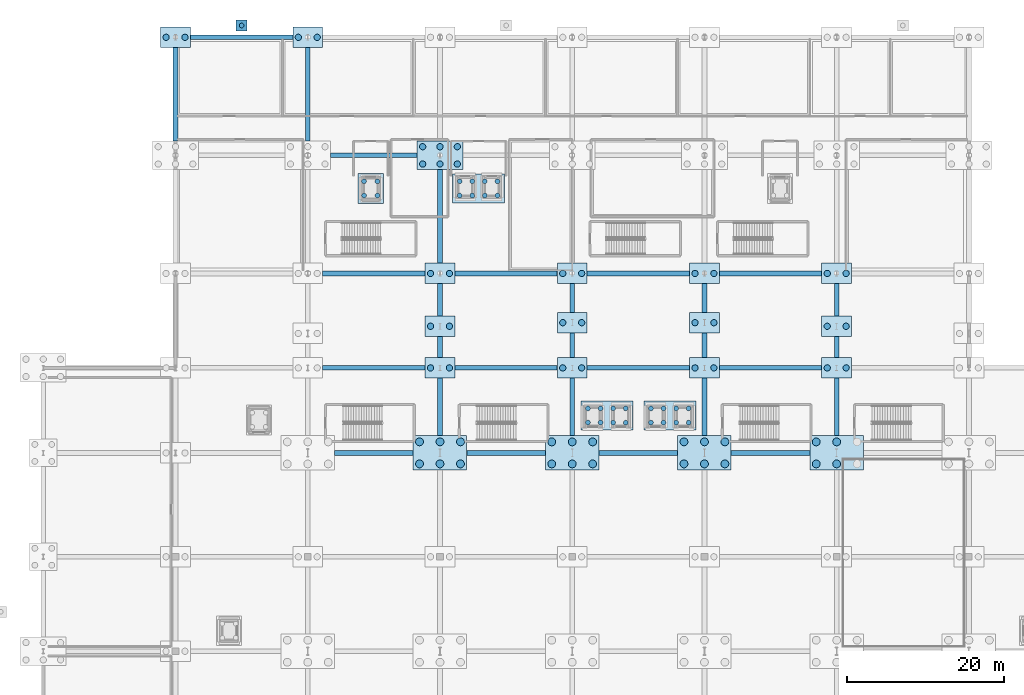
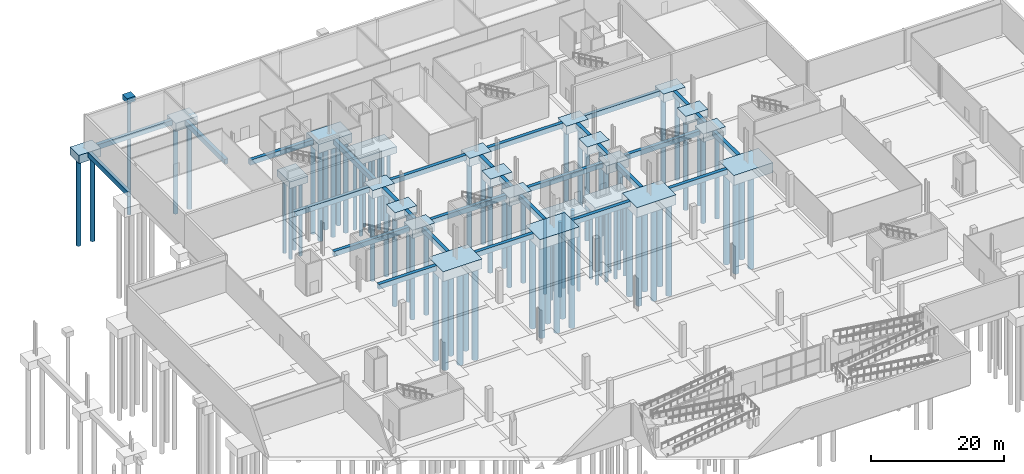
# One storey, part 4 of 46: 85 piles, 53 footings.
"""IFC4 building model written with IfcOpenShell, lengths in metres."""

from ifc_helpers import new_model, si_unit, direction, frame, origin, origin_2d, place, context, subcontext, project, spatial, rectangle, circle, extrude, material, material_profile, profile_set, type_object, element, save


model = new_model("IFC4")

# Units and contexts
model_context = context("Model", 3, precision=1e-05, world=origin(), true_north=direction((0.0, 1.0)))
body_context = subcontext(model_context, "Body", "Model", "MODEL_VIEW")
ifc_project = project(units=[si_unit("LENGTHUNIT", "METRE"), si_unit("AREAUNIT", "SQUARE_METRE"), si_unit("VOLUMEUNIT", "CUBIC_METRE"), si_unit("PLANEANGLEUNIT", "RADIAN"), si_unit("MASSUNIT", "GRAM", prefix="KILO")], contexts=[model_context])

# Site, building, storey
site_placement = place(None, origin())
site = spatial("IfcSite", under=ifc_project, at=site_placement, CompositionType="ELEMENT")
building_placement = place(site_placement, origin())
building = spatial("IfcBuilding", under=site, at=building_placement, Name="Kimbaza Rail Terminus", CompositionType="ELEMENT")
storey_placement = place(building_placement, frame((0.0, 0.0, -6.0)))
storey = spatial("IfcBuildingStorey", under=building, at=storey_placement, Name="B1", CompositionType="ELEMENT", Elevation=-6.0)

# Footings
ifc_material_1 = material(Name="Concrete C40/50", Category="concrete")
ifc_material_profile_1 = material_profile(ifc_material_1, rectangle(XDim=0.60009765625, YDim=0.89990234375, at=origin_2d()), Name="GB-01 600x900")
ifc_profile_set_1 = profile_set([ifc_material_profile_1], Name="Concrete C40/50")
footing_type_1 = type_object("IfcFootingType", Name="STR-GB-01", PredefinedType="FOOTING_BEAM", material=ifc_profile_set_1)
footing_1_placement = place(storey_placement, frame((55.199951171875, 119.802001953125, -0.449951171875), z_axis=(0.0, 1.0, 0.0), x_axis=(-1.0, 0.0, 0.0)))
element("IfcFooting", 1, at=footing_1_placement, inside=storey, type_object=footing_type_1, Name="Ground Tie Beam GB-V5Y-0-1", PredefinedType="FOOTING_BEAM", context=body_context, shape_type="SweptSolid", body=[
    extrude(rectangle(XDim=0.60009765625, YDim=0.89990234375, at=origin_2d()), origin(), (0.0, 0.0, 1.0), 11.89599609375),
])
for number, where, z_axis, x_axis, name in (
    (2, (57.10205078125, 133.0, -0.449951171875), (1.0, 0.0, 0.0), (0.0, 1.0, 0.0), "Ground Tie Beam GB-V5X-0-2"),
    (3, (73.902099609375, 103.0, -0.449951171875), (1.0, 0.0, 0.0), (0.0, 1.0, 0.0), "Ground Tie Beam GB-V5X-1-0"),
):
    element("IfcFooting", number, at=place(storey_placement, frame(where, z_axis=z_axis, x_axis=x_axis)), inside=storey, type_object=footing_type_1, Name=name, PredefinedType="FOOTING_BEAM", context=body_context, shape_type="SweptSolid", body=[
        extrude(rectangle(XDim=0.60009765625, YDim=0.89990234375, at=origin_2d()), origin(), (0.0, 0.0, 1.0), 12.995849609375),
    ])
footing_2_placement = place(storey_placement, frame((74.902099609375, 118.0, -0.449951171875), z_axis=(1.0, 0.0, 0.0), x_axis=(0.0, 1.0, 0.0)))
element("IfcFooting", 4, at=footing_2_placement, inside=storey, type_object=footing_type_1, Name="Ground Tie Beam GB-V5X-1-1", PredefinedType="FOOTING_BEAM", context=body_context, shape_type="SweptSolid", body=[
    extrude(rectangle(XDim=0.60009765625, YDim=0.89990234375, at=origin_2d()), origin(), (0.0, 0.0, 1.0), 10.995849609375),
])
footing_3_placement = place(storey_placement, frame((72.0, 119.802001953125, -0.449951171875), z_axis=(0.0, 1.0, 0.0), x_axis=(-1.0, 0.0, 0.0)))
element("IfcFooting", 5, at=footing_3_placement, inside=storey, type_object=footing_type_1, Name="Ground Tie Beam GB-V5Y-1-1", PredefinedType="FOOTING_BEAM", context=body_context, shape_type="SweptSolid", body=[
    extrude(rectangle(XDim=0.60009765625, YDim=0.89990234375, at=origin_2d()), origin(), (0.0, 0.0, 1.0), 11.89599609375),
])
footing_4_placement = place(storey_placement, frame((90.701904296875, 103.0, -0.449951171875), z_axis=(1.0, 0.0, 0.0), x_axis=(0.0, 1.0, 0.0)))
element("IfcFooting", 6, at=footing_4_placement, inside=storey, type_object=footing_type_1, Name="Ground Tie Beam GB-V5X-2-0", PredefinedType="FOOTING_BEAM", context=body_context, shape_type="SweptSolid", body=[
    extrude(rectangle(XDim=0.60009765625, YDim=0.89990234375, at=origin_2d()), origin(), (0.0, 0.0, 1.0), 12.99609375),
])
footing_5_placement = place(storey_placement, frame((88.800048828125, 104.302001953125, -0.449951171875), z_axis=(0.0, 1.0, 0.0), x_axis=(-1.0, 0.0, 0.0)))
element("IfcFooting", 7, at=footing_5_placement, inside=storey, type_object=footing_type_1, Name="Ground Tie Beam GB-V5Y-2-0", PredefinedType="FOOTING_BEAM", context=body_context, shape_type="SweptSolid", body=[
    extrude(rectangle(XDim=0.60009765625, YDim=0.89990234375, at=origin_2d()), origin(), (0.0, 0.0, 1.0), 11.89599609375),
])
for number, where, z_axis, x_axis, name in (
    (8, (107.501953125, 103.0, -0.449951171875), (1.0, 0.0, 0.0), (0.0, 1.0, 0.0), "Ground Tie Beam GB-V5X-3-0"),
    (9, (124.302001953125, 103.0, -0.449951171875), (1.0, 0.0, 0.0), (0.0, 1.0, 0.0), "Ground Tie Beam GB-V5X-4-0"),
):
    element("IfcFooting", number, at=place(storey_placement, frame(where, z_axis=z_axis, x_axis=x_axis)), inside=storey, type_object=footing_type_1, Name=name, PredefinedType="FOOTING_BEAM", context=body_context, shape_type="SweptSolid", body=[
        extrude(rectangle(XDim=0.60009765625, YDim=0.89990234375, at=origin_2d()), origin(), (0.0, 0.0, 1.0), 12.99609375),
    ])
footing_6_placement = place(storey_placement, frame((75.402099609375, 80.199951171875, -0.449951171875), z_axis=(1.0, 0.0, 0.0), x_axis=(0.0, 1.0, 0.0)))
element("IfcFooting", 10, at=footing_6_placement, inside=storey, type_object=footing_type_1, Name="Ground Tie Beam GB-V2X-2-4", PredefinedType="FOOTING_BEAM", context=body_context, shape_type="SweptSolid", body=[
    extrude(rectangle(XDim=0.60009765625, YDim=0.89990234375, at=origin_2d()), origin(), (0.0, 0.0, 1.0), 9.995849609375),
])
footing_7_placement = place(storey_placement, frame((73.902099609375, 91.0, -0.449951171875), z_axis=(1.0, 0.0, 0.0), x_axis=(0.0, 1.0, 0.0)))
element("IfcFooting", 11, at=footing_7_placement, inside=storey, type_object=footing_type_1, Name="Ground Tie Beam GB-V2X-2-5", PredefinedType="FOOTING_BEAM", context=body_context, shape_type="SweptSolid", body=[
    extrude(rectangle(XDim=0.60009765625, YDim=0.89990234375, at=origin_2d()), origin(), (0.0, 0.0, 1.0), 12.995849609375),
])
footing_8_placement = place(storey_placement, frame((92.201904296875, 80.199951171875, -0.449951171875), z_axis=(1.0, 0.0, 0.0), x_axis=(0.0, 1.0, 0.0)))
element("IfcFooting", 12, at=footing_8_placement, inside=storey, type_object=footing_type_1, Name="Ground Tie Beam GB-V2X-3-4", PredefinedType="FOOTING_BEAM", context=body_context, shape_type="SweptSolid", body=[
    extrude(rectangle(XDim=0.60009765625, YDim=0.89990234375, at=origin_2d()), origin(), (0.0, 0.0, 1.0), 9.99609375),
])
footing_9_placement = place(storey_placement, frame((88.800048828125, 82.402099609375, -0.449951171875), z_axis=(0.0, 1.0, 0.0), x_axis=(-1.0, 0.0, 0.0)))
element("IfcFooting", 13, at=footing_9_placement, inside=storey, type_object=footing_type_1, Name="Ground Tie Beam GB-V2Y-3-4", PredefinedType="FOOTING_BEAM", context=body_context, shape_type="SweptSolid", body=[
    extrude(rectangle(XDim=0.60009765625, YDim=0.89990234375, at=origin_2d()), origin(), (0.0, 0.0, 1.0), 7.2958984375),
])
footing_10_placement = place(storey_placement, frame((90.701904296875, 91.0, -0.449951171875), z_axis=(1.0, 0.0, 0.0), x_axis=(0.0, 1.0, 0.0)))
element("IfcFooting", 14, at=footing_10_placement, inside=storey, type_object=footing_type_1, Name="Ground Tie Beam GB-V2X-3-5", PredefinedType="FOOTING_BEAM", context=body_context, shape_type="SweptSolid", body=[
    extrude(rectangle(XDim=0.60009765625, YDim=0.89990234375, at=origin_2d()), origin(), (0.0, 0.0, 1.0), 12.99609375),
])
footing_11_placement = place(storey_placement, frame((109.001953125, 80.199951171875, -0.449951171875), z_axis=(1.0, 0.0, 0.0), x_axis=(0.0, 1.0, 0.0)))
element("IfcFooting", 15, at=footing_11_placement, inside=storey, type_object=footing_type_1, Name="Ground Tie Beam GB-V2X-4-4", PredefinedType="FOOTING_BEAM", context=body_context, shape_type="SweptSolid", body=[
    extrude(rectangle(XDim=0.60009765625, YDim=0.89990234375, at=origin_2d()), origin(), (0.0, 0.0, 1.0), 9.99609375),
])
footing_12_placement = place(storey_placement, frame((105.60009765625, 82.402099609375, -0.449951171875), z_axis=(0.0, 1.0, 0.0), x_axis=(-1.0, 0.0, 0.0)))
element("IfcFooting", 16, at=footing_12_placement, inside=storey, type_object=footing_type_1, Name="Ground Tie Beam GB-V2Y-4-4", PredefinedType="FOOTING_BEAM", context=body_context, shape_type="SweptSolid", body=[
    extrude(rectangle(XDim=0.60009765625, YDim=0.89990234375, at=origin_2d()), origin(), (0.0, 0.0, 1.0), 7.2958984375),
])
footing_13_placement = place(storey_placement, frame((107.501953125, 91.0, -0.449951171875), z_axis=(1.0, 0.0, 0.0), x_axis=(0.0, 1.0, 0.0)))
element("IfcFooting", 17, at=footing_13_placement, inside=storey, type_object=footing_type_1, Name="Ground Tie Beam GB-V2X-4-5", PredefinedType="FOOTING_BEAM", context=body_context, shape_type="SweptSolid", body=[
    extrude(rectangle(XDim=0.60009765625, YDim=0.89990234375, at=origin_2d()), origin(), (0.0, 0.0, 1.0), 12.99609375),
])
footing_14_placement = place(storey_placement, frame((125.802001953125, 80.199951171875, -0.449951171875), z_axis=(1.0, 0.0, 0.0), x_axis=(0.0, 1.0, 0.0)))
element("IfcFooting", 18, at=footing_14_placement, inside=storey, type_object=footing_type_1, Name="Ground Tie Beam GB-V2X-5-4", PredefinedType="FOOTING_BEAM", context=body_context, shape_type="SweptSolid", body=[
    extrude(rectangle(XDim=0.60009765625, YDim=0.89990234375, at=origin_2d()), origin(), (0.0, 0.0, 1.0), 9.99609375),
])
footing_15_placement = place(storey_placement, frame((122.39990234375, 82.402099609375, -0.449951171875), z_axis=(0.0, 1.0, 0.0), x_axis=(-1.0, 0.0, 0.0)))
element("IfcFooting", 19, at=footing_15_placement, inside=storey, type_object=footing_type_1, Name="Ground Tie Beam GB-V2Y-5-4", PredefinedType="FOOTING_BEAM", context=body_context, shape_type="SweptSolid", body=[
    extrude(rectangle(XDim=0.60009765625, YDim=0.89990234375, at=origin_2d()), origin(), (0.0, 0.0, 1.0), 7.2958984375),
])
footing_16_placement = place(storey_placement, frame((124.302001953125, 91.0, -0.449951171875), z_axis=(1.0, 0.0, 0.0), x_axis=(0.0, 1.0, 0.0)))
element("IfcFooting", 20, at=footing_16_placement, inside=storey, type_object=footing_type_1, Name="Ground Tie Beam GB-V2X-5-5", PredefinedType="FOOTING_BEAM", context=body_context, shape_type="SweptSolid", body=[
    extrude(rectangle(XDim=0.60009765625, YDim=0.89990234375, at=origin_2d()), origin(), (0.0, 0.0, 1.0), 12.99609375),
])
footing_17_placement = place(storey_placement, frame((139.199951171875, 82.402099609375, -0.449951171875), z_axis=(0.0, 1.0, 0.0), x_axis=(-1.0, 0.0, 0.0)))
element("IfcFooting", 21, at=footing_17_placement, inside=storey, type_object=footing_type_1, Name="Ground Tie Beam GB-V2Y-6-4", PredefinedType="FOOTING_BEAM", context=body_context, shape_type="SweptSolid", body=[
    extrude(rectangle(XDim=0.60009765625, YDim=0.89990234375, at=origin_2d()), origin(), (0.0, 0.0, 1.0), 7.2958984375),
])
footing_18_placement = place(storey_placement, frame((88.800048828125, 92.302001953125, -0.449951171875), z_axis=(0.0, 1.0, 0.0), x_axis=(-1.0, 0.0, 0.0)))
element("IfcFooting", 22, at=footing_18_placement, inside=storey, type_object=footing_type_1, Name="Ground Tie Beam GB-VSPN-4", PredefinedType="FOOTING_BEAM", context=body_context, shape_type="SweptSolid", body=[
    extrude(rectangle(XDim=0.60009765625, YDim=0.89990234375, at=origin_2d()), origin(), (0.0, 0.0, 1.0), 2.68359375),
])
footing_19_placement = place(storey_placement, frame((88.800048828125, 97.589599609375, -0.449951171875), z_axis=(0.0, 1.0, 0.0), x_axis=(-1.0, 0.0, 0.0)))
element("IfcFooting", 23, at=footing_19_placement, inside=storey, type_object=footing_type_1, Name="Ground Tie Beam GB-VSPN2-4", PredefinedType="FOOTING_BEAM", context=body_context, shape_type="SweptSolid", body=[
    extrude(rectangle(XDim=0.60009765625, YDim=0.89990234375, at=origin_2d()), origin(), (0.0, 0.0, 1.0), 4.1083984375),
])
footing_20_placement = place(storey_placement, frame((105.60009765625, 92.302001953125, -0.449951171875), z_axis=(0.0, 1.0, 0.0), x_axis=(-1.0, 0.0, 0.0)))
element("IfcFooting", 24, at=footing_20_placement, inside=storey, type_object=footing_type_1, Name="Ground Tie Beam GB-VSPN-5", PredefinedType="FOOTING_BEAM", context=body_context, shape_type="SweptSolid", body=[
    extrude(rectangle(XDim=0.60009765625, YDim=0.89990234375, at=origin_2d()), origin(), (0.0, 0.0, 1.0), 3.13916015625),
])
footing_21_placement = place(storey_placement, frame((105.60009765625, 98.045166015625, -0.449951171875), z_axis=(0.0, 1.0, 0.0), x_axis=(-1.0, 0.0, 0.0)))
element("IfcFooting", 25, at=footing_21_placement, inside=storey, type_object=footing_type_1, Name="Ground Tie Beam GB-VSPN2-5", PredefinedType="FOOTING_BEAM", context=body_context, shape_type="SweptSolid", body=[
    extrude(rectangle(XDim=0.60009765625, YDim=0.89990234375, at=origin_2d()), origin(), (0.0, 0.0, 1.0), 3.65283203125),
])
footing_22_placement = place(storey_placement, frame((122.39990234375, 92.302001953125, -0.449951171875), z_axis=(0.0, 1.0, 0.0), x_axis=(-1.0, 0.0, 0.0)))
element("IfcFooting", 26, at=footing_22_placement, inside=storey, type_object=footing_type_1, Name="Ground Tie Beam GB-VSPN-6", PredefinedType="FOOTING_BEAM", context=body_context, shape_type="SweptSolid", body=[
    extrude(rectangle(XDim=0.60009765625, YDim=0.89990234375, at=origin_2d()), origin(), (0.0, 0.0, 1.0), 3.13916015625),
])
footing_23_placement = place(storey_placement, frame((122.39990234375, 98.045166015625, -0.449951171875), z_axis=(0.0, 1.0, 0.0), x_axis=(-1.0, 0.0, 0.0)))
element("IfcFooting", 27, at=footing_23_placement, inside=storey, type_object=footing_type_1, Name="Ground Tie Beam GB-VSPN2-6", PredefinedType="FOOTING_BEAM", context=body_context, shape_type="SweptSolid", body=[
    extrude(rectangle(XDim=0.60009765625, YDim=0.89990234375, at=origin_2d()), origin(), (0.0, 0.0, 1.0), 3.65283203125),
])
footing_24_placement = place(storey_placement, frame((139.199951171875, 92.302001953125, -0.449951171875), z_axis=(0.0, 1.0, 0.0), x_axis=(-1.0, 0.0, 0.0)))
element("IfcFooting", 28, at=footing_24_placement, inside=storey, type_object=footing_type_1, Name="Ground Tie Beam GB-VSPN-7", PredefinedType="FOOTING_BEAM", context=body_context, shape_type="SweptSolid", body=[
    extrude(rectangle(XDim=0.60009765625, YDim=0.89990234375, at=origin_2d()), origin(), (0.0, 0.0, 1.0), 2.68359375),
])
footing_25_placement = place(storey_placement, frame((139.199951171875, 97.589599609375, -0.449951171875), z_axis=(0.0, 1.0, 0.0), x_axis=(-1.0, 0.0, 0.0)))
element("IfcFooting", 29, at=footing_25_placement, inside=storey, type_object=footing_type_1, Name="Ground Tie Beam GB-VSPN2-7", PredefinedType="FOOTING_BEAM", context=body_context, shape_type="SweptSolid", body=[
    extrude(rectangle(XDim=0.60009765625, YDim=0.89990234375, at=origin_2d()), origin(), (0.0, 0.0, 1.0), 4.1083984375),
])
ifc_material_2 = material(Name="Concrete C40/50", Category="concrete")
footing_type_2 = type_object("IfcFootingType", Name="STR-PC-04", PredefinedType="PILE_CAP", material=ifc_material_2)
for number, where, z_axis, x_axis, name in (
    (30, (55.199951171875, 133.0, -1.5), (0.0, 0.0, 1.0), (1.0, 0.0, 0.0), "Pile Cap PC-04 at (55.2,133.0)"),
    (31, (72.0, 133.0, -1.5), (0.0, 0.0, 1.0), (1.0, 0.0, 0.0), "Pile Cap PC-04 at (72.0,133.0)"),
    (32, (88.800048828125, 103.0, -1.5), (0.0, 0.0, 1.0), (1.0, 0.0, 0.0), "Pile Cap PC-04 at (88.8,103.0)"),
    (33, (105.60009765625, 103.0, -1.5), (0.0, 0.0, 1.0), (1.0, 0.0, 0.0), "Pile Cap PC-04 at (105.6,103.0)"),
    (34, (122.39990234375, 103.0, -1.5), (0.0, 0.0, 1.0), (1.0, 0.0, 0.0), "Pile Cap PC-04 at (122.4,103.0)"),
    (35, (139.199951171875, 103.0, -1.5), (0.0, 0.0, 1.0), (1.0, 0.0, 0.0), "Pile Cap PC-04 at (139.2,103.0)"),
    (36, (88.800048828125, 91.0, -1.5), (0.0, 0.0, 1.0), (1.0, 0.0, 0.0), "Pile Cap PC-04 at (88.8,91.0)"),
    (37, (105.60009765625, 91.0, -1.5), (0.0, 0.0, 1.0), (1.0, 0.0, 0.0), "Pile Cap PC-04 at (105.6,91.0)"),
    (38, (122.39990234375, 91.0, -1.5), (0.0, 0.0, 1.0), (1.0, 0.0, 0.0), "Pile Cap PC-04 at (122.4,91.0)"),
    (39, (139.199951171875, 91.0, -1.5), (0.0, 0.0, 1.0), (1.0, 0.0, 0.0), "Pile Cap PC-04 at (139.2,91.0)"),
    (40, (88.800048828125, 96.28759765625, -1.5), (0.0, 0.0, 1.0), (1.0, 0.0, 0.0), "Pile Cap PC-04 at (88.8,96.3)"),
    (41, (105.60009765625, 96.7431640625, -1.5), (0.0, 0.0, 1.0), (1.0, 0.0, 0.0), "Pile Cap PC-04 at (105.6,96.7)"),
    (42, (122.39990234375, 96.7431640625, -1.5), (0.0, 0.0, 1.0), (1.0, 0.0, 0.0), "Pile Cap PC-04 at (122.4,96.7)"),
    (43, (139.199951171875, 96.28759765625, -1.5), (0.0, 0.0, 1.0), (1.0, 0.0, 0.0), "Pile Cap PC-04 at (139.2,96.3)"),
):
    element("IfcFooting", number, at=place(storey_placement, frame(where, z_axis=z_axis, x_axis=x_axis)), inside=storey, type_object=footing_type_2, Name=name, PredefinedType="PILE_CAP", context=body_context, shape_type="SweptSolid", body=[
        extrude(rectangle(XDim=3.800048828125, YDim=2.60009765625, at=origin_2d()), origin(), (0.0, 0.0, 1.0), 1.5),
    ])
ifc_material_3 = material(Name="Concrete C40/50", Category="concrete")
footing_type_3 = type_object("IfcFootingType", Name="STR-PC-05", PredefinedType="PILE_CAP", material=ifc_material_3)
footing_26_placement = place(storey_placement, frame((88.800048828125, 118.0, -1.64990234375), z_axis=(0.0, 0.0, 1.0), x_axis=(1.0, 0.0, 0.0)))
element("IfcFooting", 44, at=footing_26_placement, inside=storey, type_object=footing_type_3, Name="Pile Cap PC-05 at (88.8,118.0)", PredefinedType="PILE_CAP", context=body_context, shape_type="SweptSolid", body=[
    extrude(rectangle(XDim=5.800048828125, YDim=3.60009765625, at=origin_2d()), origin(), (0.0, 0.0, 1.0), 1.64990234375),
])
ifc_material_4 = material(Name="Concrete C40/50", Category="concrete")
footing_type_4 = type_object("IfcFootingType", Name="STR-PC-06", PredefinedType="PILE_CAP", material=ifc_material_4)
for number, where, z_axis, x_axis, name in (
    (45, (88.800048828125, 80.199951171875, -1.7998046875), (0.0, 0.0, 1.0), (1.0, 0.0, 0.0), "Pile Cap PC-06 at (88.8,80.2)"),
    (46, (105.60009765625, 80.199951171875, -1.7998046875), (0.0, 0.0, 1.0), (1.0, 0.0, 0.0), "Pile Cap PC-06 at (105.6,80.2)"),
    (47, (122.39990234375, 80.199951171875, -1.7998046875), (0.0, 0.0, 1.0), (1.0, 0.0, 0.0), "Pile Cap PC-06 at (122.4,80.2)"),
    (48, (139.199951171875, 80.199951171875, -1.7998046875), (0.0, 0.0, 1.0), (1.0, 0.0, 0.0), "Pile Cap PC-06 at (139.2,80.2)"),
):
    element("IfcFooting", number, at=place(storey_placement, frame(where, z_axis=z_axis, x_axis=x_axis)), inside=storey, type_object=footing_type_4, Name=name, PredefinedType="PILE_CAP", context=body_context, shape_type="SweptSolid", body=[
        extrude(rectangle(XDim=6.800048828125, YDim=4.39990234375, at=origin_2d()), origin(), (0.0, 0.0, 1.0), 1.800048828125),
    ])
ifc_material_5 = material(Name="Concrete C40/50", Category="concrete")
footing_type_5 = type_object("IfcFootingType", Name="STR-PC-09", PredefinedType="PILE_CAP", material=ifc_material_5)
footing_27_placement = place(storey_placement, frame((63.60009765625, 134.5, 4.85009765625), z_axis=(0.0, 0.0, 1.0), x_axis=(1.0, 0.0, 0.0)))
element("IfcFooting", 49, at=footing_27_placement, inside=storey, type_object=footing_type_5, Name="Pile Cap PC-09 at (63.6,134.5)", PredefinedType="PILE_CAP", context=body_context, shape_type="SweptSolid", body=[
    extrude(rectangle(XDim=1.39990234375, YDim=1.39990234375, at=origin_2d()), origin(), (0.0, 0.0, 1.0), 0.89990234375),
])
ifc_material_6 = material(Name="Concrete C40/50", Category="concrete")
footing_type_6 = type_object("IfcFootingType", Name="STR-PC-10", PredefinedType="PILE_CAP", material=ifc_material_6)
for number, where, z_axis, x_axis, name in (
    (50, (93.699951171875, 113.800048828125, -2.85009765625), (0.0, 0.0, 1.0), (1.0, 0.0, 0.0), "Pile Cap PC-10 at (93.7,113.8)"),
    (51, (110.0, 84.949951171875, -2.85009765625), (0.0, 0.0, 1.0), (1.0, 0.0, 0.0), "Pile Cap PC-10 at (110.0,85.0)"),
    (52, (118.0, 84.949951171875, -2.85009765625), (0.0, 0.0, 1.0), (1.0, 0.0, 0.0), "Pile Cap PC-10 at (118.0,85.0)"),
):
    element("IfcFooting", number, at=place(storey_placement, frame(where, z_axis=z_axis, x_axis=x_axis)), inside=storey, type_object=footing_type_6, Name=name, PredefinedType="PILE_CAP", context=body_context, shape_type="SweptSolid", body=[
        extrude(rectangle(XDim=6.60009765625, YDim=3.699951171875, at=origin_2d()), origin(), (0.0, 0.0, 1.0), 1.199951171875),
    ])
ifc_material_7 = material(Name="Concrete C40/50", Category="concrete")
footing_type_7 = type_object("IfcFootingType", Name="STR-PC-11", PredefinedType="PILE_CAP", material=ifc_material_7)
footing_28_placement = place(storey_placement, frame((80.0, 113.800048828125, -2.85009765625), z_axis=(0.0, 0.0, 1.0), x_axis=(1.0, 0.0, 0.0)))
element("IfcFooting", 53, at=footing_28_placement, inside=storey, type_object=footing_type_7, Name="Pile Cap PC-11 at (80.0,113.8)", PredefinedType="PILE_CAP", context=body_context, shape_type="SweptSolid", body=[
    extrude(rectangle(XDim=3.199951171875, YDim=3.800048828125, at=origin_2d()), origin(), (0.0, 0.0, 1.0), 1.199951171875),
])

# Piles
ifc_material_8 = material(Name="Concrete C35/45", Category="concrete")
ifc_material_profile_2 = material_profile(ifc_material_8, circle(Radius=0.5, at=origin_2d()), Name="BORED PILE 1000")
ifc_profile_set_2 = profile_set([ifc_material_profile_2], Name="Concrete C35/45")
pile_type_1 = type_object("IfcPileType", Name="STR-PILE-1000", PredefinedType="BORED", material=ifc_profile_set_2)
for number, where, z_axis, x_axis, name in (
    (54, (86.199951171875, 78.800048828125, -1.699951171875), (0.0, 0.0, -1.0), (1.0, 0.0, 0.0), "Bored Pile 1000 #1"),
    (55, (88.800048828125, 78.800048828125, -1.699951171875), (0.0, 0.0, -1.0), (1.0, 0.0, 0.0), "Bored Pile 1000 #2"),
    (56, (91.39990234375, 78.800048828125, -1.699951171875), (0.0, 0.0, -1.0), (1.0, 0.0, 0.0), "Bored Pile 1000 #3"),
    (57, (86.199951171875, 81.60009765625, -1.699951171875), (0.0, 0.0, -1.0), (1.0, 0.0, 0.0), "Bored Pile 1000 #4"),
    (58, (88.800048828125, 81.60009765625, -1.699951171875), (0.0, 0.0, -1.0), (1.0, 0.0, 0.0), "Bored Pile 1000 #5"),
    (59, (91.39990234375, 81.60009765625, -1.699951171875), (0.0, 0.0, -1.0), (1.0, 0.0, 0.0), "Bored Pile 1000 #6"),
    (60, (103.0, 78.800048828125, -1.699951171875), (0.0, 0.0, -1.0), (1.0, 0.0, 0.0), "Bored Pile 1000 #1"),
    (61, (105.60009765625, 78.800048828125, -1.699951171875), (0.0, 0.0, -1.0), (1.0, 0.0, 0.0), "Bored Pile 1000 #2"),
    (62, (108.199951171875, 78.800048828125, -1.699951171875), (0.0, 0.0, -1.0), (1.0, 0.0, 0.0), "Bored Pile 1000 #3"),
    (63, (103.0, 81.60009765625, -1.699951171875), (0.0, 0.0, -1.0), (1.0, 0.0, 0.0), "Bored Pile 1000 #4"),
    (64, (105.60009765625, 81.60009765625, -1.699951171875), (0.0, 0.0, -1.0), (1.0, 0.0, 0.0), "Bored Pile 1000 #5"),
    (65, (108.199951171875, 81.60009765625, -1.699951171875), (0.0, 0.0, -1.0), (1.0, 0.0, 0.0), "Bored Pile 1000 #6"),
    (66, (119.800048828125, 78.800048828125, -1.699951171875), (0.0, 0.0, -1.0), (1.0, 0.0, 0.0), "Bored Pile 1000 #1"),
    (67, (122.39990234375, 78.800048828125, -1.699951171875), (0.0, 0.0, -1.0), (1.0, 0.0, 0.0), "Bored Pile 1000 #2"),
    (68, (125.0, 78.800048828125, -1.699951171875), (0.0, 0.0, -1.0), (1.0, 0.0, 0.0), "Bored Pile 1000 #3"),
    (69, (119.800048828125, 81.60009765625, -1.699951171875), (0.0, 0.0, -1.0), (1.0, 0.0, 0.0), "Bored Pile 1000 #4"),
    (70, (122.39990234375, 81.60009765625, -1.699951171875), (0.0, 0.0, -1.0), (1.0, 0.0, 0.0), "Bored Pile 1000 #5"),
    (71, (125.0, 81.60009765625, -1.699951171875), (0.0, 0.0, -1.0), (1.0, 0.0, 0.0), "Bored Pile 1000 #6"),
    (72, (136.60009765625, 78.800048828125, -1.699951171875), (0.0, 0.0, -1.0), (1.0, 0.0, 0.0), "Bored Pile 1000 #1"),
    (73, (139.199951171875, 78.800048828125, -1.699951171875), (0.0, 0.0, -1.0), (1.0, 0.0, 0.0), "Bored Pile 1000 #2"),
    (74, (136.60009765625, 81.60009765625, -1.699951171875), (0.0, 0.0, -1.0), (1.0, 0.0, 0.0), "Bored Pile 1000 #4"),
    (75, (139.199951171875, 81.60009765625, -1.699951171875), (0.0, 0.0, -1.0), (1.0, 0.0, 0.0), "Bored Pile 1000 #5"),
):
    element("IfcPile", number, at=place(storey_placement, frame(where, z_axis=z_axis, x_axis=x_axis)), inside=storey, type_object=pile_type_1, Name=name, PredefinedType="BORED", context=body_context, shape_type="SweptSolid", body=[
        extrude(circle(Radius=0.5, at=origin_2d()), origin(), (0.0, 0.0, 1.0), 16.800048828125),
    ])
ifc_material_9 = material(Name="Concrete C35/45", Category="concrete")
ifc_material_profile_3 = material_profile(ifc_material_9, circle(Radius=0.300048828125, at=origin_2d()), Name="BORED PILE 600")
ifc_profile_set_3 = profile_set([ifc_material_profile_3], Name="Concrete C35/45")
pile_type_2 = type_object("IfcPileType", Name="STR-PILE-600", PredefinedType="BORED", material=ifc_profile_set_3)
for number, where, z_axis, x_axis, name in (
    (76, (91.300048828125, 112.89990234375, -2.75), (0.0, 0.0, -1.0), (1.0, 0.0, 0.0), "Bored Pile 600 #1"),
    (77, (92.89990234375, 112.89990234375, -2.75), (0.0, 0.0, -1.0), (1.0, 0.0, 0.0), "Bored Pile 600 #2"),
    (78, (94.5, 112.89990234375, -2.75), (0.0, 0.0, -1.0), (1.0, 0.0, 0.0), "Bored Pile 600 #3"),
    (79, (96.10009765625, 112.89990234375, -2.75), (0.0, 0.0, -1.0), (1.0, 0.0, 0.0), "Bored Pile 600 #4"),
    (80, (91.300048828125, 114.699951171875, -2.75), (0.0, 0.0, -1.0), (1.0, 0.0, 0.0), "Bored Pile 600 #5"),
    (81, (92.89990234375, 114.699951171875, -2.75), (0.0, 0.0, -1.0), (1.0, 0.0, 0.0), "Bored Pile 600 #6"),
    (82, (94.5, 114.699951171875, -2.75), (0.0, 0.0, -1.0), (1.0, 0.0, 0.0), "Bored Pile 600 #7"),
    (83, (96.10009765625, 114.699951171875, -2.75), (0.0, 0.0, -1.0), (1.0, 0.0, 0.0), "Bored Pile 600 #8"),
    (84, (79.14990234375, 112.89990234375, -2.75), (0.0, 0.0, -1.0), (1.0, 0.0, 0.0), "Bored Pile 600 #1"),
    (85, (80.85009765625, 112.89990234375, -2.75), (0.0, 0.0, -1.0), (1.0, 0.0, 0.0), "Bored Pile 600 #2"),
    (86, (79.14990234375, 114.699951171875, -2.75), (0.0, 0.0, -1.0), (1.0, 0.0, 0.0), "Bored Pile 600 #3"),
    (87, (80.85009765625, 114.699951171875, -2.75), (0.0, 0.0, -1.0), (1.0, 0.0, 0.0), "Bored Pile 600 #4"),
    (88, (107.60009765625, 84.050048828125, -2.75), (0.0, 0.0, -1.0), (1.0, 0.0, 0.0), "Bored Pile 600 #1"),
    (89, (109.199951171875, 84.050048828125, -2.75), (0.0, 0.0, -1.0), (1.0, 0.0, 0.0), "Bored Pile 600 #2"),
    (90, (110.800048828125, 84.050048828125, -2.75), (0.0, 0.0, -1.0), (1.0, 0.0, 0.0), "Bored Pile 600 #3"),
    (91, (112.39990234375, 84.050048828125, -2.75), (0.0, 0.0, -1.0), (1.0, 0.0, 0.0), "Bored Pile 600 #4"),
    (92, (107.60009765625, 85.85009765625, -2.75), (0.0, 0.0, -1.0), (1.0, 0.0, 0.0), "Bored Pile 600 #5"),
    (93, (109.199951171875, 85.85009765625, -2.75), (0.0, 0.0, -1.0), (1.0, 0.0, 0.0), "Bored Pile 600 #6"),
    (94, (110.800048828125, 85.85009765625, -2.75), (0.0, 0.0, -1.0), (1.0, 0.0, 0.0), "Bored Pile 600 #7"),
    (95, (112.39990234375, 85.85009765625, -2.75), (0.0, 0.0, -1.0), (1.0, 0.0, 0.0), "Bored Pile 600 #8"),
    (96, (115.60009765625, 84.050048828125, -2.75), (0.0, 0.0, -1.0), (1.0, 0.0, 0.0), "Bored Pile 600 #1"),
    (97, (117.199951171875, 84.050048828125, -2.75), (0.0, 0.0, -1.0), (1.0, 0.0, 0.0), "Bored Pile 600 #2"),
    (98, (118.800048828125, 84.050048828125, -2.75), (0.0, 0.0, -1.0), (1.0, 0.0, 0.0), "Bored Pile 600 #3"),
    (99, (120.39990234375, 84.050048828125, -2.75), (0.0, 0.0, -1.0), (1.0, 0.0, 0.0), "Bored Pile 600 #4"),
    (100, (115.60009765625, 85.85009765625, -2.75), (0.0, 0.0, -1.0), (1.0, 0.0, 0.0), "Bored Pile 600 #5"),
    (101, (117.199951171875, 85.85009765625, -2.75), (0.0, 0.0, -1.0), (1.0, 0.0, 0.0), "Bored Pile 600 #6"),
    (102, (118.800048828125, 85.85009765625, -2.75), (0.0, 0.0, -1.0), (1.0, 0.0, 0.0), "Bored Pile 600 #7"),
    (103, (120.39990234375, 85.85009765625, -2.75), (0.0, 0.0, -1.0), (1.0, 0.0, 0.0), "Bored Pile 600 #8"),
):
    element("IfcPile", number, at=place(storey_placement, frame(where, z_axis=z_axis, x_axis=x_axis)), inside=storey, type_object=pile_type_2, Name=name, PredefinedType="BORED", context=body_context, shape_type="SweptSolid", body=[
        extrude(circle(Radius=0.300048828125, at=origin_2d()), origin(), (0.0, 0.0, 1.0), 13.75),
    ])
pile_placement = place(storey_placement, frame((63.60009765625, 134.5, 4.949951171875), z_axis=(0.0, 0.0, -1.0), x_axis=(1.0, 0.0, 0.0)))
element("IfcPile", 104, at=pile_placement, inside=storey, type_object=pile_type_2, Name="Bored Pile 600 #1", PredefinedType="BORED", context=body_context, shape_type="SweptSolid", body=[
    extrude(circle(Radius=0.300048828125, at=origin_2d()), origin(), (0.0, 0.0, 1.0), 20.949951171875),
])
ifc_material_10 = material(Name="Concrete C35/45", Category="concrete")
ifc_material_profile_4 = material_profile(ifc_material_10, circle(Radius=0.39990234375, at=origin_2d()), Name="BORED PILE 800")
ifc_profile_set_4 = profile_set([ifc_material_profile_4], Name="Concrete C35/45")
pile_type_3 = type_object("IfcPileType", Name="STR-PILE-800", PredefinedType="BORED", material=ifc_profile_set_4)
for number, where, z_axis, x_axis, name in (
    (105, (54.0, 133.0, -1.39990234375), (0.0, 0.0, -1.0), (1.0, 0.0, 0.0), "Bored Pile 800 #1"),
    (106, (56.39990234375, 133.0, -1.39990234375), (0.0, 0.0, -1.0), (1.0, 0.0, 0.0), "Bored Pile 800 #2"),
    (107, (70.800048828125, 133.0, -1.39990234375), (0.0, 0.0, -1.0), (1.0, 0.0, 0.0), "Bored Pile 800 #1"),
    (108, (73.199951171875, 133.0, -1.39990234375), (0.0, 0.0, -1.0), (1.0, 0.0, 0.0), "Bored Pile 800 #2"),
    (109, (87.60009765625, 103.0, -1.39990234375), (0.0, 0.0, -1.0), (1.0, 0.0, 0.0), "Bored Pile 800 #1"),
    (110, (90.0, 103.0, -1.39990234375), (0.0, 0.0, -1.0), (1.0, 0.0, 0.0), "Bored Pile 800 #2"),
):
    element("IfcPile", number, at=place(storey_placement, frame(where, z_axis=z_axis, x_axis=x_axis)), inside=storey, type_object=pile_type_3, Name=name, PredefinedType="BORED", context=body_context, shape_type="SweptSolid", body=[
        extrude(circle(Radius=0.39990234375, at=origin_2d()), origin(), (0.0, 0.0, 1.0), 16.0),
    ])
for number, where, z_axis, x_axis, name in (
    (111, (86.60009765625, 116.89990234375, -1.550048828125), (0.0, 0.0, -1.0), (1.0, 0.0, 0.0), "Bored Pile 800 #1"),
    (112, (88.800048828125, 116.89990234375, -1.550048828125), (0.0, 0.0, -1.0), (1.0, 0.0, 0.0), "Bored Pile 800 #2"),
    (113, (91.0, 116.89990234375, -1.550048828125), (0.0, 0.0, -1.0), (1.0, 0.0, 0.0), "Bored Pile 800 #3"),
    (114, (86.60009765625, 119.10009765625, -1.550048828125), (0.0, 0.0, -1.0), (1.0, 0.0, 0.0), "Bored Pile 800 #4"),
    (115, (88.800048828125, 119.10009765625, -1.550048828125), (0.0, 0.0, -1.0), (1.0, 0.0, 0.0), "Bored Pile 800 #5"),
    (116, (91.0, 119.10009765625, -1.550048828125), (0.0, 0.0, -1.0), (1.0, 0.0, 0.0), "Bored Pile 800 #6"),
):
    element("IfcPile", number, at=place(storey_placement, frame(where, z_axis=z_axis, x_axis=x_axis)), inside=storey, type_object=pile_type_3, Name=name, PredefinedType="BORED", context=body_context, shape_type="SweptSolid", body=[
        extrude(circle(Radius=0.39990234375, at=origin_2d()), origin(), (0.0, 0.0, 1.0), 16.64990234375),
    ])
for number, where, z_axis, x_axis, name in (
    (117, (104.39990234375, 103.0, -1.39990234375), (0.0, 0.0, -1.0), (1.0, 0.0, 0.0), "Bored Pile 800 #1"),
    (118, (106.800048828125, 103.0, -1.39990234375), (0.0, 0.0, -1.0), (1.0, 0.0, 0.0), "Bored Pile 800 #2"),
    (119, (121.199951171875, 103.0, -1.39990234375), (0.0, 0.0, -1.0), (1.0, 0.0, 0.0), "Bored Pile 800 #1"),
    (120, (123.60009765625, 103.0, -1.39990234375), (0.0, 0.0, -1.0), (1.0, 0.0, 0.0), "Bored Pile 800 #2"),
    (121, (138.0, 103.0, -1.39990234375), (0.0, 0.0, -1.0), (1.0, 0.0, 0.0), "Bored Pile 800 #1"),
    (122, (140.39990234375, 103.0, -1.39990234375), (0.0, 0.0, -1.0), (1.0, 0.0, 0.0), "Bored Pile 800 #2"),
):
    element("IfcPile", number, at=place(storey_placement, frame(where, z_axis=z_axis, x_axis=x_axis)), inside=storey, type_object=pile_type_3, Name=name, PredefinedType="BORED", context=body_context, shape_type="SweptSolid", body=[
        extrude(circle(Radius=0.39990234375, at=origin_2d()), origin(), (0.0, 0.0, 1.0), 16.0),
    ])
for number, where, z_axis, x_axis, name in (
    (123, (87.60009765625, 91.0, -1.39990234375), (0.0, 0.0, -1.0), (1.0, 0.0, 0.0), "Bored Pile 800 #1"),
    (124, (90.0, 91.0, -1.39990234375), (0.0, 0.0, -1.0), (1.0, 0.0, 0.0), "Bored Pile 800 #2"),
    (125, (104.39990234375, 91.0, -1.39990234375), (0.0, 0.0, -1.0), (1.0, 0.0, 0.0), "Bored Pile 800 #1"),
    (126, (106.800048828125, 91.0, -1.39990234375), (0.0, 0.0, -1.0), (1.0, 0.0, 0.0), "Bored Pile 800 #2"),
    (127, (121.199951171875, 91.0, -1.39990234375), (0.0, 0.0, -1.0), (1.0, 0.0, 0.0), "Bored Pile 800 #1"),
    (128, (123.60009765625, 91.0, -1.39990234375), (0.0, 0.0, -1.0), (1.0, 0.0, 0.0), "Bored Pile 800 #2"),
    (129, (138.0, 91.0, -1.39990234375), (0.0, 0.0, -1.0), (1.0, 0.0, 0.0), "Bored Pile 800 #1"),
    (130, (140.39990234375, 91.0, -1.39990234375), (0.0, 0.0, -1.0), (1.0, 0.0, 0.0), "Bored Pile 800 #2"),
):
    element("IfcPile", number, at=place(storey_placement, frame(where, z_axis=z_axis, x_axis=x_axis)), inside=storey, type_object=pile_type_3, Name=name, PredefinedType="BORED", context=body_context, shape_type="SweptSolid", body=[
        extrude(circle(Radius=0.39990234375, at=origin_2d()), origin(), (0.0, 0.0, 1.0), 15.800048828125),
    ])
for number, where, z_axis, x_axis, name in (
    (131, (87.60009765625, 96.28759765625, -1.39990234375), (0.0, 0.0, -1.0), (1.0, 0.0, 0.0), "Bored Pile 800 #1"),
    (132, (90.0, 96.28759765625, -1.39990234375), (0.0, 0.0, -1.0), (1.0, 0.0, 0.0), "Bored Pile 800 #2"),
    (133, (104.39990234375, 96.7431640625, -1.39990234375), (0.0, 0.0, -1.0), (1.0, 0.0, 0.0), "Bored Pile 800 #1"),
    (134, (106.800048828125, 96.7431640625, -1.39990234375), (0.0, 0.0, -1.0), (1.0, 0.0, 0.0), "Bored Pile 800 #2"),
    (135, (121.199951171875, 96.7431640625, -1.39990234375), (0.0, 0.0, -1.0), (1.0, 0.0, 0.0), "Bored Pile 800 #1"),
    (136, (123.60009765625, 96.7431640625, -1.39990234375), (0.0, 0.0, -1.0), (1.0, 0.0, 0.0), "Bored Pile 800 #2"),
    (137, (138.0, 96.28759765625, -1.39990234375), (0.0, 0.0, -1.0), (1.0, 0.0, 0.0), "Bored Pile 800 #1"),
    (138, (140.39990234375, 96.28759765625, -1.39990234375), (0.0, 0.0, -1.0), (1.0, 0.0, 0.0), "Bored Pile 800 #2"),
):
    element("IfcPile", number, at=place(storey_placement, frame(where, z_axis=z_axis, x_axis=x_axis)), inside=storey, type_object=pile_type_3, Name=name, PredefinedType="BORED", context=body_context, shape_type="SweptSolid", body=[
        extrude(circle(Radius=0.39990234375, at=origin_2d()), origin(), (0.0, 0.0, 1.0), 16.60009765625),
    ])

save(model, "model.ifc")
